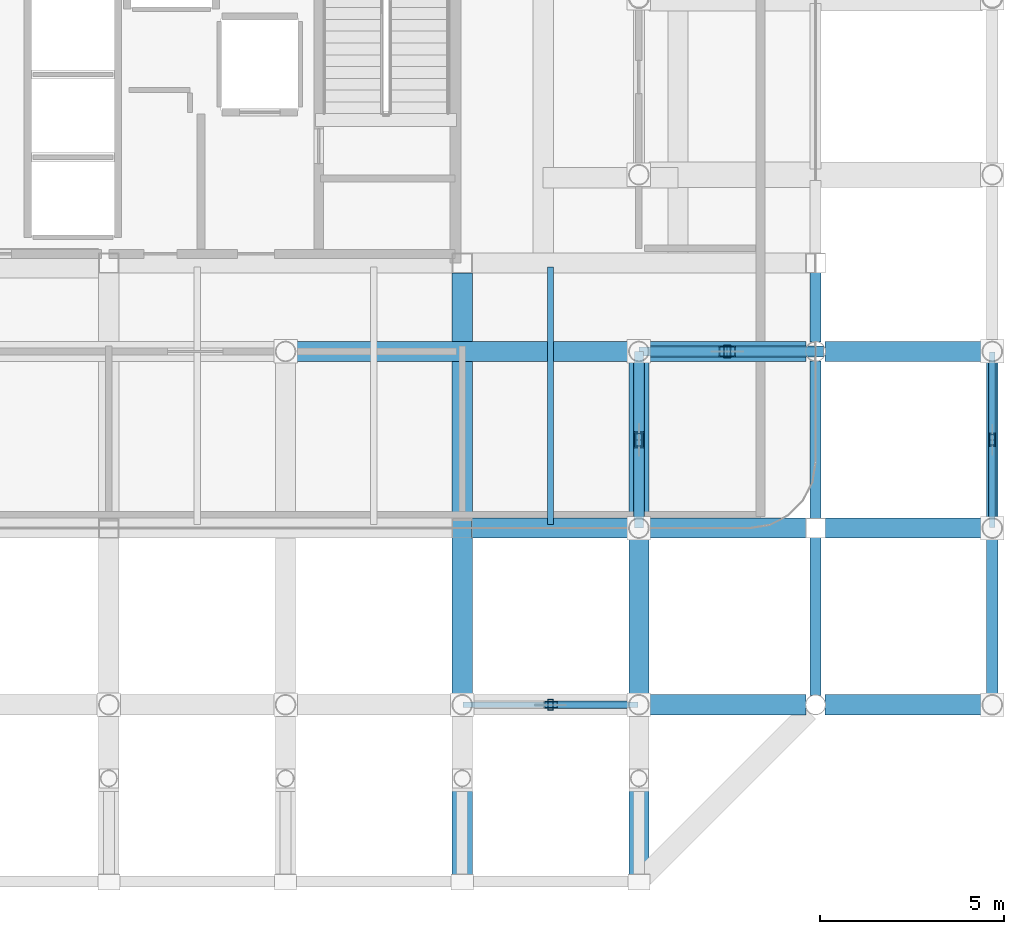
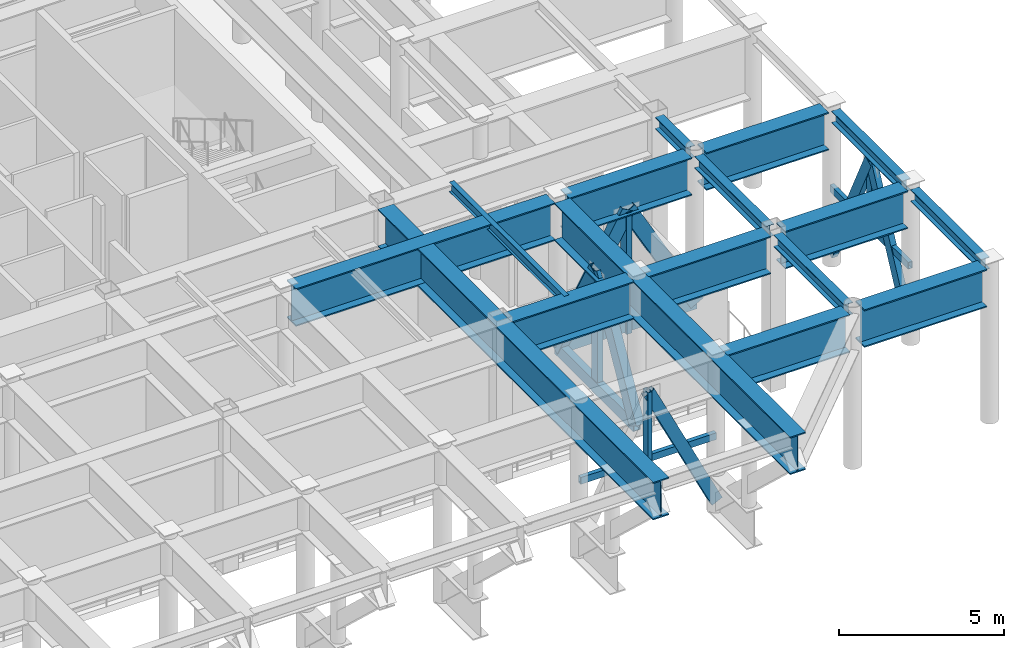
# One storey, part 6 of 20: 16 beams, 15 members.
"""IFC4 building model written with IfcOpenShell, lengths in metres."""

from ifc_helpers import new_model, si_unit, direction, frame, origin, origin_2d, place, context, subcontext, project, spatial, hollow_rectangle, i_section, extrude, material, material_profile, profile_set, type_object, element, save


model = new_model("IFC4")

# Units and contexts
model_context = context("Model", 3, precision=1e-05, world=origin(), true_north=direction((0.0, 1.0)))
body_context = subcontext(model_context, "Body", "Model", "MODEL_VIEW")
ifc_project = project(units=[si_unit("LENGTHUNIT", "METRE"), si_unit("AREAUNIT", "SQUARE_METRE"), si_unit("VOLUMEUNIT", "CUBIC_METRE"), si_unit("PLANEANGLEUNIT", "RADIAN"), si_unit("MASSUNIT", "GRAM", prefix="KILO")], contexts=[model_context])

# Site, building, storey
site_placement = place(None, origin())
site = spatial("IfcSite", under=ifc_project, at=site_placement, CompositionType="ELEMENT")
building_placement = place(site_placement, origin())
building = spatial("IfcBuilding", under=site, at=building_placement, Name="Kallvorn Hotel Tower", CompositionType="ELEMENT")
storey_placement = place(building_placement, frame((0.0, 0.0, 276.199951171875)))
storey = spatial("IfcBuildingStorey", under=building, at=storey_placement, Name="L69", CompositionType="ELEMENT", Elevation=276.199951171875)

# Beams
ifc_material_1 = material(Name="Structural steel S355JR", Category="steel")
ifc_material_profile_1 = material_profile(ifc_material_1, i_section(OverallWidth=0.300048828125, OverallDepth=0.43994140625, WebThickness=0.011474609375, FlangeThickness=0.02099609375, at=origin_2d()), Name="HE 450 A")
ifc_profile_set_1 = profile_set([ifc_material_profile_1], Name="Structural steel S355JR")
beam_type_1 = type_object("IfcBeamType", Name="BM_HE450A", PredefinedType="BEAM", material=ifc_profile_set_1)
beam_1_placement = place(storey_placement, frame((24.0, -18.945556640625, 5.580078125), z_axis=(0.0, 1.0, 0.0), x_axis=(-1.0, 0.0, 0.0)))
element("IfcBeam", 1, at=beam_1_placement, inside=storey, type_object=beam_type_1, Name="L70 Primary Y-Girder 152", PredefinedType="BEAM", context=body_context, shape_type="SweptSolid", body=[
    extrude(i_section(OverallWidth=0.300048828125, OverallDepth=0.43994140625, WebThickness=0.011474609375, FlangeThickness=0.02099609375, at=origin_2d()), origin(), (0.0, 0.0, 1.0), 4.295654296875),
])
beam_2_placement = place(storey_placement, frame((24.0, -14.14990234375, 5.580078125), z_axis=(0.0, 1.0, 0.0), x_axis=(-1.0, 0.0, 0.0)))
element("IfcBeam", 2, at=beam_2_placement, inside=storey, type_object=beam_type_1, Name="L70 Primary Y-Girder 153", PredefinedType="BEAM", context=body_context, shape_type="SweptSolid", body=[
    extrude(i_section(OverallWidth=0.300048828125, OverallDepth=0.43994140625, WebThickness=0.011474609375, FlangeThickness=0.02099609375, at=origin_2d()), origin(), (0.0, 0.0, 1.0), 4.29541015625),
])
beam_3_placement = place(storey_placement, frame((24.0, -9.345458984375, 5.580078125), z_axis=(0.0, 1.0, 0.0), x_axis=(-1.0, 0.0, 0.0)))
element("IfcBeam", 3, at=beam_3_placement, inside=storey, type_object=beam_type_1, Name="L70 Primary Y-Girder 154", PredefinedType="BEAM", context=body_context, shape_type="SweptSolid", body=[
    extrude(i_section(OverallWidth=0.300048828125, OverallDepth=0.43994140625, WebThickness=0.011474609375, FlangeThickness=0.02099609375, at=origin_2d()), origin(), (0.0, 0.0, 1.0), 1.8955078125),
])
for number, where, z_axis, x_axis, name in (
    (4, (28.800048828125, -18.945556640625, 5.580078125), (0.0, 1.0, 0.0), (-1.0, 0.0, 0.0), "L70 Primary Y-Girder 159"),
    (5, (28.800048828125, -14.1455078125, 5.580078125), (0.0, 1.0, 0.0), (-1.0, 0.0, 0.0), "L70 Primary Y-Girder 160"),
):
    element("IfcBeam", number, at=place(storey_placement, frame(where, z_axis=z_axis, x_axis=x_axis)), inside=storey, type_object=beam_type_1, Name=name, PredefinedType="BEAM", context=body_context, shape_type="SweptSolid", body=[
        extrude(i_section(OverallWidth=0.300048828125, OverallDepth=0.43994140625, WebThickness=0.011474609375, FlangeThickness=0.02099609375, at=origin_2d()), origin(), (0.0, 0.0, 1.0), 4.291015625),
    ])
ifc_material_2 = material(Name="Structural steel S355JR", Category="steel")
ifc_material_profile_2 = material_profile(ifc_material_2, i_section(OverallWidth=0.169921875, OverallDepth=0.360107421875, WebThickness=0.008056640625, FlangeThickness=0.0126953125, at=origin_2d()), Name="IPE 360")
ifc_profile_set_2 = profile_set([ifc_material_profile_2], Name="Structural steel S355JR")
beam_type_2 = type_object("IfcBeamType", Name="BM_IPE360", PredefinedType="JOIST", material=ifc_profile_set_2)
beam_4_placement = place(storey_placement, frame((16.800048828125, -14.300048828125, 5.6201171875), z_axis=(0.0, 1.0, 0.0), x_axis=(-1.0, 0.0, 0.0)))
element("IfcBeam", 6, at=beam_4_placement, inside=storey, type_object=beam_type_2, Name="L70 Secondary Composite Joist 217", PredefinedType="JOIST", context=body_context, shape_type="SweptSolid", body=[
    extrude(i_section(OverallWidth=0.169921875, OverallDepth=0.360107421875, WebThickness=0.008056640625, FlangeThickness=0.0126953125, at=origin_2d()), origin(), (0.0, 0.0, 1.0), 7.0),
])
ifc_material_3 = material(Name="Structural steel S355JR", Category="steel")
ifc_material_profile_3 = material_profile(ifc_material_3, i_section(OverallWidth=0.550048828125, OverallDepth=1.39990234375, WebThickness=0.02490234375, FlangeThickness=0.044921875, at=origin_2d()), Name="PG 1400x550x25x45")
ifc_profile_set_3 = profile_set([ifc_material_profile_3], Name="Structural steel S355JR")
beam_type_3 = type_object("IfcBeamType", Name="BM_PG_1400", PredefinedType="BEAM", material=ifc_profile_set_3)
beam_5_placement = place(storey_placement, frame((14.39990234375, -7.465087890625, 5.10009765625), z_axis=(0.0, -1.0, 0.0), x_axis=(1.0, 0.0, 0.0)))
element("IfcBeam", 7, at=beam_5_placement, inside=storey, type_object=beam_type_3, Name="L70 Continuous Cantilever Transfer Girder 12", PredefinedType="BEAM", context=body_context, shape_type="SweptSolid", body=[
    extrude(i_section(OverallWidth=0.550048828125, OverallDepth=1.39990234375, WebThickness=0.02490234375, FlangeThickness=0.044921875, at=origin_2d()), origin(), (0.0, 0.0, 1.0), 16.71484375),
])
beam_6_placement = place(storey_placement, frame((19.199951171875, -9.869384765625, 5.10009765625), z_axis=(0.0, -1.0, 0.0), x_axis=(1.0, 0.0, 0.0)))
element("IfcBeam", 8, at=beam_6_placement, inside=storey, type_object=beam_type_3, Name="L70 Continuous Cantilever Transfer Girder 13", PredefinedType="BEAM", context=body_context, shape_type="SweptSolid", body=[
    extrude(i_section(OverallWidth=0.550048828125, OverallDepth=1.39990234375, WebThickness=0.02490234375, FlangeThickness=0.044921875, at=origin_2d()), origin(), (0.0, 0.0, 1.0), 14.310546875),
])
for number, where, z_axis, x_axis, name in (
    (9, (19.45458984375, -19.199951171875, 5.10009765625), (1.0, 0.0, 0.0), (0.0, 1.0, 0.0), "L70 Primary X-Girder 27"),
    (10, (24.25439453125, -19.199951171875, 5.10009765625), (1.0, 0.0, 0.0), (0.0, 1.0, 0.0), "L70 Primary X-Girder 28"),
):
    element("IfcBeam", number, at=place(storey_placement, frame(where, z_axis=z_axis, x_axis=x_axis)), inside=storey, type_object=beam_type_3, Name=name, PredefinedType="BEAM", context=body_context, shape_type="SweptSolid", body=[
        extrude(i_section(OverallWidth=0.550048828125, OverallDepth=1.39990234375, WebThickness=0.02490234375, FlangeThickness=0.044921875, at=origin_2d()), origin(), (0.0, 0.0, 1.0), 4.291015625),
    ])
beam_7_placement = place(storey_placement, frame((14.64990234375, -14.39990234375, 5.10009765625), z_axis=(1.0, 0.0, 0.0), x_axis=(0.0, 1.0, 0.0)))
element("IfcBeam", 11, at=beam_7_placement, inside=storey, type_object=beam_type_3, Name="L70 Primary X-Girder 36", PredefinedType="BEAM", context=body_context, shape_type="SweptSolid", body=[
    extrude(i_section(OverallWidth=0.550048828125, OverallDepth=1.39990234375, WebThickness=0.02490234375, FlangeThickness=0.044921875, at=origin_2d()), origin(), (0.0, 0.0, 1.0), 4.295654296875),
])
for number, where, z_axis, x_axis, name in (
    (12, (19.45458984375, -14.39990234375, 5.10009765625), (1.0, 0.0, 0.0), (0.0, 1.0, 0.0), "L70 Primary X-Girder 37"),
    (13, (24.25, -14.39990234375, 5.10009765625), (1.0, 0.0, 0.0), (0.0, 1.0, 0.0), "L70 Primary X-Girder 38"),
):
    element("IfcBeam", number, at=place(storey_placement, frame(where, z_axis=z_axis, x_axis=x_axis)), inside=storey, type_object=beam_type_3, Name=name, PredefinedType="BEAM", context=body_context, shape_type="SweptSolid", body=[
        extrude(i_section(OverallWidth=0.550048828125, OverallDepth=1.39990234375, WebThickness=0.02490234375, FlangeThickness=0.044921875, at=origin_2d()), origin(), (0.0, 0.0, 1.0), 4.29541015625),
    ])
beam_8_placement = place(storey_placement, frame((9.8544921875, -9.60009765625, 5.10009765625), z_axis=(1.0, 0.0, 0.0), x_axis=(0.0, 1.0, 0.0)))
element("IfcBeam", 14, at=beam_8_placement, inside=storey, type_object=beam_type_3, Name="L70 Primary X-Girder 45", PredefinedType="BEAM", context=body_context, shape_type="SweptSolid", body=[
    extrude(i_section(OverallWidth=0.550048828125, OverallDepth=1.39990234375, WebThickness=0.02490234375, FlangeThickness=0.044921875, at=origin_2d()), origin(), (0.0, 0.0, 1.0), 9.091064453125),
])
for number, where, z_axis, x_axis, name in (
    (15, (19.45458984375, -9.60009765625, 5.10009765625), (1.0, 0.0, 0.0), (0.0, 1.0, 0.0), "L70 Primary X-Girder 46"),
    (16, (24.25439453125, -9.60009765625, 5.10009765625), (1.0, 0.0, 0.0), (0.0, 1.0, 0.0), "L70 Primary X-Girder 47"),
):
    element("IfcBeam", number, at=place(storey_placement, frame(where, z_axis=z_axis, x_axis=x_axis)), inside=storey, type_object=beam_type_3, Name=name, PredefinedType="BEAM", context=body_context, shape_type="SweptSolid", body=[
        extrude(i_section(OverallWidth=0.550048828125, OverallDepth=1.39990234375, WebThickness=0.02490234375, FlangeThickness=0.044921875, at=origin_2d()), origin(), (0.0, 0.0, 1.0), 4.291015625),
    ])

# Members
ifc_material_4 = material(Name="Structural steel S355J2H", Category="steel")
ifc_material_profile_4 = material_profile(ifc_material_4, hollow_rectangle(XDim=0.199951171875, YDim=0.39990234375, WallThickness=0.02001953125, at=origin_2d()), Name="RHS 400x200x20")
ifc_profile_set_4 = profile_set([ifc_material_profile_4], Name="Structural steel S355J2H")
member_type_1 = type_object("IfcMemberType", Name="MBR_BELT_RHS400", PredefinedType="BRACE", material=ifc_profile_set_4)
for number, where, z_axis, x_axis, name in (
    (17, (19.191162109375, -19.199951171875, 0.3681640625), (-0.440591160242, 0.0, 0.897707875378), (0.0, -1.0, 0.0), "L69 Belt Truss Diagonal 2B"),
    (18, (28.800048828125, -14.39111328125, 0.3681640625), (0.0, 0.440591160242, 0.897707875378), (-1.0, 0.0, 0.0), "L69 Belt Truss Diagonal 7A"),
    (19, (28.800048828125, -9.60888671875, 0.3681640625), (0.0, -0.440591160242, 0.897707875378), (1.0, 0.0, 0.0), "L69 Belt Truss Diagonal 7B"),
):
    element("IfcMember", number, at=place(storey_placement, frame(where, z_axis=z_axis, x_axis=x_axis)), inside=storey, type_object=member_type_1, Name=name, PredefinedType="BRACE", context=body_context, shape_type="SweptSolid", body=[
        extrude(hollow_rectangle(XDim=0.199951171875, YDim=0.39990234375, WallThickness=0.02001953125, at=origin_2d()), origin(), (0.0, 0.0, 1.0), 5.4072265625),
    ])
ifc_material_5 = material(Name="Structural steel S355J2H", Category="steel")
ifc_material_profile_5 = material_profile(ifc_material_5, hollow_rectangle(XDim=0.25, YDim=0.449951171875, WallThickness=0.02197265625, at=origin_2d()), Name="RHS 450x250x22")
ifc_profile_set_5 = profile_set([ifc_material_profile_5], Name="Structural steel S355J2H")
member_type_2 = type_object("IfcMemberType", Name="MBR_CHORD_RHS450", PredefinedType="CHORD", material=ifc_profile_set_5)
member_1_placement = place(storey_placement, frame((19.199951171875, -9.60009765625, 0.239990234375), z_axis=(1.0, 0.0, 0.0), x_axis=(0.0, 1.0, 0.0)))
element("IfcMember", 20, at=member_1_placement, inside=storey, type_object=member_type_2, Name="L69 Outrigger Truss Bottom Chord OTE1", PredefinedType="CHORD", context=body_context, shape_type="SweptSolid", body=[
    extrude(hollow_rectangle(XDim=0.25, YDim=0.449951171875, WallThickness=0.02197265625, at=origin_2d()), origin(), (0.0, 0.0, 1.0), 4.800048828125),
])
member_2_placement = place(storey_placement, frame((19.199951171875, -14.39990234375, 0.239990234375), z_axis=(0.0, 1.0, 0.0), x_axis=(-1.0, 0.0, 0.0)))
element("IfcMember", 21, at=member_2_placement, inside=storey, type_object=member_type_2, Name="L69 Outrigger Truss Bottom Chord OTS2", PredefinedType="CHORD", context=body_context, shape_type="SweptSolid", body=[
    extrude(hollow_rectangle(XDim=0.25, YDim=0.449951171875, WallThickness=0.02197265625, at=origin_2d()), origin(), (0.0, 0.0, 1.0), 4.7998046875),
])
ifc_material_6 = material(Name="Structural steel S355J2H", Category="steel")
ifc_material_profile_6 = material_profile(ifc_material_6, hollow_rectangle(XDim=0.14990234375, YDim=0.25, WallThickness=0.010009765625, at=origin_2d()), Name="RHS 250x150x10")
ifc_profile_set_6 = profile_set([ifc_material_profile_6], Name="Structural steel S355J2H")
member_type_3 = type_object("IfcMemberType", Name="MBR_COLLAR_RHS250", PredefinedType="COLLAR", material=ifc_profile_set_6)
member_3_placement = place(storey_placement, frame((14.419921875, -19.199951171875, 2.775146484375), z_axis=(1.0, 0.0, 0.0), x_axis=(0.0, 1.0, 0.0)))
element("IfcMember", 22, at=member_3_placement, inside=storey, type_object=member_type_3, Name="L69 Belt Truss Tie Collar 2", PredefinedType="COLLAR", context=body_context, shape_type="SweptSolid", body=[
    extrude(hollow_rectangle(XDim=0.14990234375, YDim=0.25, WallThickness=0.010009765625, at=origin_2d()), origin(), (0.0, 0.0, 1.0), 4.760009765625),
])
member_4_placement = place(storey_placement, frame((28.800048828125, -14.3798828125, 2.775146484375), z_axis=(0.0, 1.0, 0.0), x_axis=(-1.0, 0.0, 0.0)))
element("IfcMember", 23, at=member_4_placement, inside=storey, type_object=member_type_3, Name="L69 Belt Truss Tie Collar 7", PredefinedType="COLLAR", context=body_context, shape_type="SweptSolid", body=[
    extrude(hollow_rectangle(XDim=0.14990234375, YDim=0.25, WallThickness=0.010009765625, at=origin_2d()), origin(), (0.0, 0.0, 1.0), 4.759765625),
])
ifc_material_7 = material(Name="Structural steel S355J2H", Category="steel")
ifc_material_profile_7 = material_profile(ifc_material_7, hollow_rectangle(XDim=0.300048828125, YDim=0.5, WallThickness=0.02490234375, at=origin_2d()), Name="RHS 500x300x25")
ifc_profile_set_7 = profile_set([ifc_material_profile_7], Name="Structural steel S355J2H")
member_type_4 = type_object("IfcMemberType", Name="MBR_OUTRIGGER_RHS500", PredefinedType="BRACE", material=ifc_profile_set_7)
member_5_placement = place(storey_placement, frame((19.199951171875, -9.60009765625, 0.239990234375), z_axis=(0.487384619939, 0.0, 0.873187398127), x_axis=(0.0, 1.0, 0.0)))
element("IfcMember", 24, at=member_5_placement, inside=storey, type_object=member_type_4, Name="L69 Outrigger Truss Diagonal OTE1A", PredefinedType="BRACE", context=body_context, shape_type="SweptSolid", body=[
    extrude(hollow_rectangle(XDim=0.300048828125, YDim=0.5, WallThickness=0.02490234375, at=origin_2d()), origin(), (0.0, 0.0, 1.0), 4.924560546875),
])
for number, where, z_axis, x_axis, name in (
    (25, (24.0, -9.60009765625, 0.239990234375), (-0.487346818809, 0.0, 0.873208496407), (0.0, -1.0, 0.0), "L69 Outrigger Truss Diagonal OTE1B"),
    (26, (19.199951171875, -14.39990234375, 0.239990234375), (0.0, 0.487346818809, 0.873208496407), (-1.0, 0.0, 0.0), "L69 Outrigger Truss Diagonal OTS2A"),
    (27, (19.199951171875, -9.60009765625, 0.239990234375), (0.0, -0.487346818809, 0.873208496407), (1.0, 0.0, 0.0), "L69 Outrigger Truss Diagonal OTS2B"),
):
    element("IfcMember", number, at=place(storey_placement, frame(where, z_axis=z_axis, x_axis=x_axis)), inside=storey, type_object=member_type_4, Name=name, PredefinedType="BRACE", context=body_context, shape_type="SweptSolid", body=[
        extrude(hollow_rectangle(XDim=0.300048828125, YDim=0.5, WallThickness=0.02490234375, at=origin_2d()), origin(), (0.0, 0.0, 1.0), 4.92431640625),
    ])
ifc_material_8 = material(Name="Structural steel S355J2H", Category="steel")
ifc_material_profile_8 = material_profile(ifc_material_8, hollow_rectangle(XDim=0.199951171875, YDim=0.35009765625, WallThickness=0.01611328125, at=origin_2d()), Name="RHS 350x200x16")
ifc_profile_set_8 = profile_set([ifc_material_profile_8], Name="Structural steel S355J2H")
member_type_5 = type_object("IfcMemberType", Name="MBR_POST_RHS350", PredefinedType="POST", material=ifc_profile_set_8)
for number, where, z_axis, x_axis, name in (
    (28, (21.60009765625, -9.60009765625, -0.0400390625), (0.0, 0.0, 1.0), (1.0, 0.0, 0.0), "L69 Outrigger Truss Post OTE1"),
    (29, (19.199951171875, -12.0, -0.0400390625), (0.0, 0.0, 1.0), (1.0, 0.0, 0.0), "L69 Outrigger Truss Post OTS2"),
):
    element("IfcMember", number, at=place(storey_placement, frame(where, z_axis=z_axis, x_axis=x_axis)), inside=storey, type_object=member_type_5, Name=name, PredefinedType="POST", context=body_context, shape_type="SweptSolid", body=[
        extrude(hollow_rectangle(XDim=0.199951171875, YDim=0.35009765625, WallThickness=0.01611328125, at=origin_2d()), origin(), (0.0, 0.0, 1.0), 4.52001953125),
    ])
ifc_material_9 = material(Name="Structural steel S355J2H", Category="steel")
ifc_material_profile_9 = material_profile(ifc_material_9, hollow_rectangle(XDim=0.14990234375, YDim=0.300048828125, WallThickness=0.012451171875, at=origin_2d()), Name="RHS 300x150x12.5")
ifc_profile_set_9 = profile_set([ifc_material_profile_9], Name="Structural steel S355J2H")
member_type_6 = type_object("IfcMemberType", Name="MBR_STRUT_RHS300", PredefinedType="STRUT", material=ifc_profile_set_9)
for number, where, z_axis, x_axis, name in (
    (30, (16.800048828125, -19.199951171875, 2.72509765625), (0.0, 0.0, 1.0), (1.0, 0.0, 0.0), "L69 Belt Truss Strut 2"),
    (31, (28.800048828125, -12.0, 2.72509765625), (0.0, 0.0, 1.0), (1.0, 0.0, 0.0), "L69 Belt Truss Strut 7"),
):
    element("IfcMember", number, at=place(storey_placement, frame(where, z_axis=z_axis, x_axis=x_axis)), inside=storey, type_object=member_type_6, Name=name, PredefinedType="STRUT", context=body_context, shape_type="SweptSolid", body=[
        extrude(hollow_rectangle(XDim=0.14990234375, YDim=0.300048828125, WallThickness=0.012451171875, at=origin_2d()), origin(), (0.0, 0.0, 1.0), 2.554931640625),
    ])

save(model, "model.ifc")
